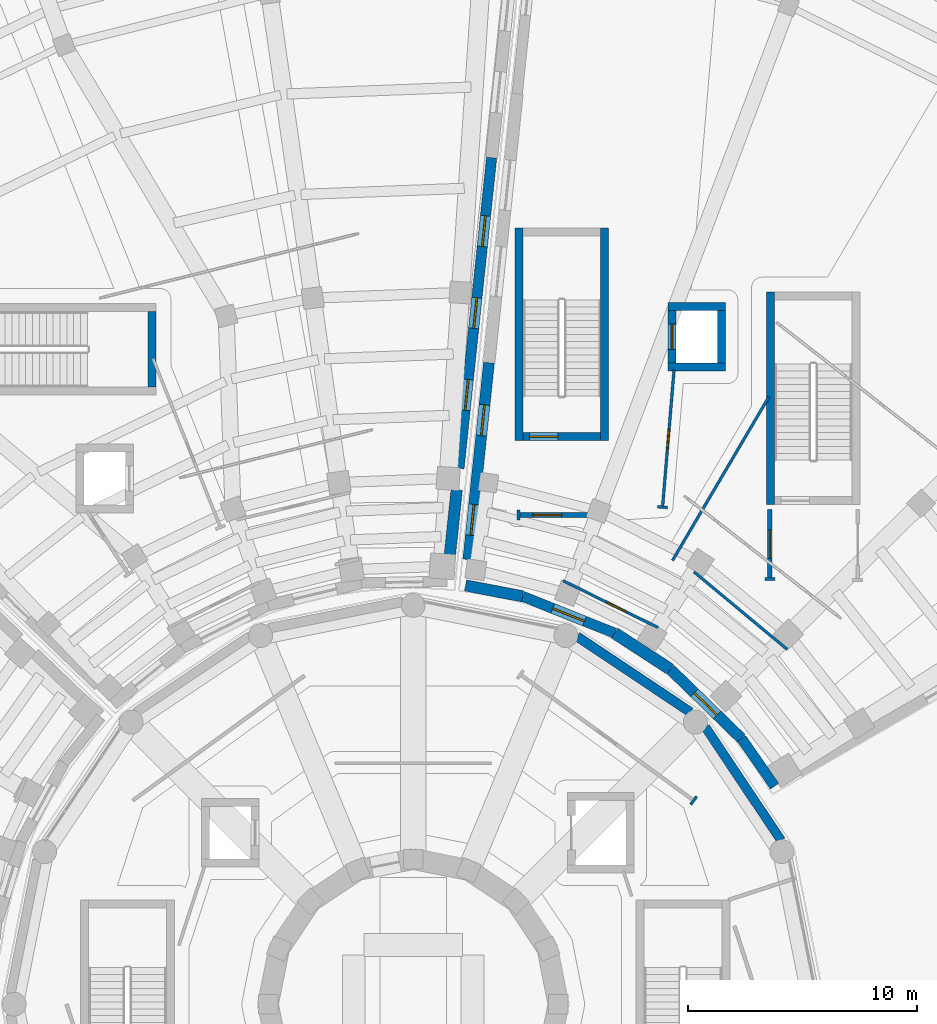
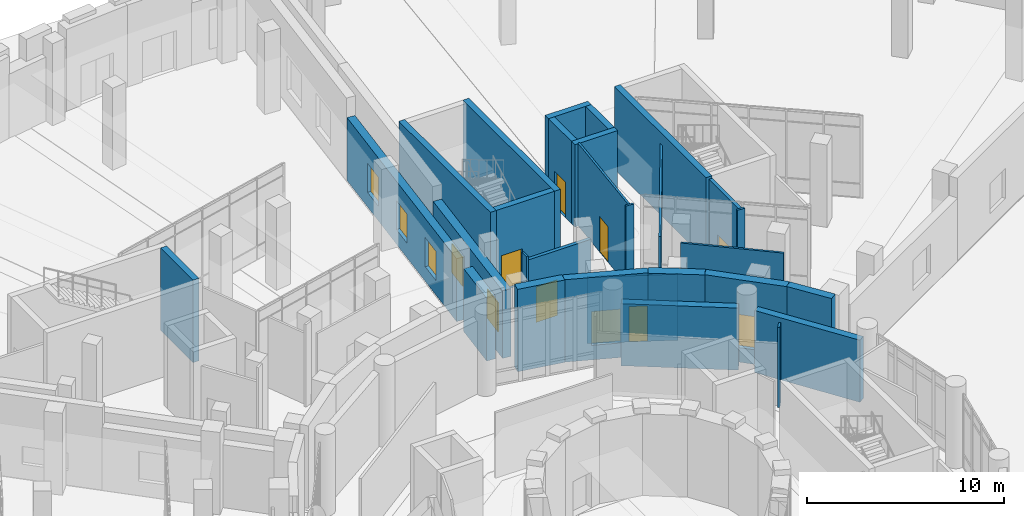
# One storey, part 50 of 74: 29 walls, 7 windows, 6 doors, 13 openings.
"""IFC4 building model written with IfcOpenShell, lengths in metres."""

import ifcopenshell
import ifcopenshell.guid

model = None  # the IFC model being written
_history = None  # IfcOwnerHistory: only IFC2X3 demands one
_inside = {}  # id of a spatial element -> (the spatial element, [elements in it])
_under = {}  # id of a project, library or spatial element -> (it, [spatial elements below it])
_declared = {}  # id of a project -> (the project, [libraries it declares])
_typed = {}  # id of a type object -> (the type object, [elements of that type])
_made_of = {}  # id of a material, layer set ... -> (it, [elements and type objects made of it])


def new_model(schema):
    """Start an empty IFC model of exactly this schema.

    Asked for "IFC4X3", IfcOpenShell would pick the latest addendum, in which some entities
    have other attributes; the version numbers below select the first issue.
    IFC2X3 requires an IfcOwnerHistory on every rooted entity: one is made here for all.
    """
    global model, _history
    if schema == "IFC4X3":
        model = ifcopenshell.file(schema_version=(4, 3, 0, 0))
    else:
        model = ifcopenshell.file(schema=schema)
    _inside.clear()
    _under.clear()
    _declared.clear()
    _typed.clear()
    _made_of.clear()
    _history = None
    if model.schema == "IFC2X3":
        org = make("IfcOrganization", Name="unknown")
        user = make(
            "IfcPersonAndOrganization",
            ThePerson=make("IfcPerson", FamilyName="unknown"),
            TheOrganization=org,
        )
        app = make(
            "IfcApplication",
            ApplicationDeveloper=org,
            Version="unknown",
            ApplicationFullName="unknown",
            ApplicationIdentifier="unknown",
        )
        _history = make(
            "IfcOwnerHistory",
            OwningUser=user,
            OwningApplication=app,
            ChangeAction="ADDED",
            CreationDate=0,
        )
    return model


def make(cls, **values):
    """One entity of the class cls with the attributes given. An attribute that is None is left unset."""
    return model.create_entity(
        cls, **{name: value for name, value in values.items() if value is not None}
    )


def rooted(cls, **values):
    """An entity with a GlobalId (a new one), such as an element, a storey or a relation."""
    return make(cls, GlobalId=ifcopenshell.guid.new(), OwnerHistory=_history, **values)


def si_unit(unit_type, name, prefix=None):
    """IfcSIUnit, for example si_unit("LENGTHUNIT", "METRE", prefix="MILLI")."""
    return make("IfcSIUnit", UnitType=unit_type, Prefix=prefix, Name=name)


def assignment(units):
    """IfcUnitAssignment: the units of a project."""
    return None if units is None else make("IfcUnitAssignment", Units=units)


def point(xyz):
    """IfcCartesianPoint."""
    return None if xyz is None else make("IfcCartesianPoint", Coordinates=xyz)


def direction(xyz):
    """IfcDirection."""
    return None if xyz is None else make("IfcDirection", DirectionRatios=xyz)


def frame(location, z_axis=None, x_axis=None):
    """IfcAxis2Placement3D, a coordinate frame: its origin and axes. An axis left out is left unset."""
    return make(
        "IfcAxis2Placement3D",
        Location=point(location),
        Axis=direction(z_axis),
        RefDirection=direction(x_axis),
    )


def frame_2d(location, x_axis=None):
    """IfcAxis2Placement2D, a coordinate frame in the plane: its origin and x axis."""
    return make(
        "IfcAxis2Placement2D", Location=point(location), RefDirection=direction(x_axis)
    )


def origin():
    """The frame at (0, 0, 0) with its axes left unset."""
    return frame((0.0, 0.0, 0.0))


def place(relative_to, where):
    """IfcLocalPlacement: puts the frame where relative to a parent placement (None: the world)."""
    return make(
        "IfcLocalPlacement", PlacementRelTo=relative_to, RelativePlacement=where
    )


def context(
    kind, dimensions, precision=None, world=None, true_north=None, identifier=None
):
    """IfcGeometricRepresentationContext, for example the 3D "Model" context."""
    return make(
        "IfcGeometricRepresentationContext",
        ContextIdentifier=identifier,
        ContextType=kind,
        CoordinateSpaceDimension=dimensions,
        Precision=precision,
        WorldCoordinateSystem=world,
        TrueNorth=true_north,
    )


def subcontext(parent, identifier, kind, view, scale=None):
    """IfcGeometricRepresentationSubContext, for example "Body" below "Model"."""
    return make(
        "IfcGeometricRepresentationSubContext",
        ContextIdentifier=identifier,
        ContextType=kind,
        ParentContext=parent,
        TargetScale=scale,
        TargetView=view,
    )


def project(units=None, contexts=None):
    """IfcProject with its units and contexts."""
    return rooted(
        "IfcProject",
        Name="project",
        RepresentationContexts=contexts,
        UnitsInContext=assignment(units),
    )


def spatial(cls, under=None, at=None, **own):
    """A site, building, storey or space (cls), placed at a placement, below another one or the project."""
    s = rooted(cls, ObjectPlacement=at, **own)
    if under is not None:
        _under.setdefault(under.id(), (under, []))[1].append(s)
    return s


def profile(cls, at=None, kind="AREA", **sizes):
    """A parametric profile (cls). Its sizes go by their IFC names, for example OverallWidth=200.0."""
    return make(cls, ProfileType=kind, Position=at, **sizes)


def rectangle(**sizes):
    """IfcRectangleProfileDef."""
    return profile("IfcRectangleProfileDef", **sizes)


def extrude(swept, where, along, depth):
    """IfcExtrudedAreaSolid: the profile swept, set in the frame where, extruded along a direction by depth."""
    return make(
        "IfcExtrudedAreaSolid",
        SweptArea=swept,
        Position=where,
        ExtrudedDirection=direction(along),
        Depth=depth,
    )


def shape(context_of_items, identifier, shape_type, items):
    """IfcShapeRepresentation: the items that make up one representation, for example the "Body"."""
    return make(
        "IfcShapeRepresentation",
        ContextOfItems=context_of_items,
        RepresentationIdentifier=identifier,
        RepresentationType=shape_type,
        Items=items,
    )


def material(Name=None, Category=None):
    """IfcMaterial."""
    return make("IfcMaterial", Name=Name, Category=Category)


def layer(
    of_material, thickness, ventilated=None, Name=None, Category=None, Priority=None
):
    """IfcMaterialLayer: one layer of a wall or slab, of a material (None: an air gap)."""
    return make(
        "IfcMaterialLayer",
        Material=of_material,
        LayerThickness=thickness,
        IsVentilated=ventilated,
        Name=Name,
        Category=Category,
        Priority=Priority,
    )


def layer_set(layers, Name=None):
    """IfcMaterialLayerSet."""
    return make("IfcMaterialLayerSet", MaterialLayers=layers, LayerSetName=Name)


def made_of(thing, what):
    """Note that an element or type object is made of a material, layer set ...; save() writes the relation."""
    if what is not None:
        _made_of.setdefault(what.id(), (what, []))[1].append(thing)
    return thing


def type_object(cls, material=None, **own):
    """A type object (cls), such as IfcWallType, which elements share."""
    return made_of(rooted(cls, **own), material)


def element(
    cls,
    number,
    at=None,
    inside=None,
    cuts=None,
    type_object=None,
    material=None,
    context=None,
    identifier="Body",
    shape_type=None,
    held_by="IfcProductDefinitionShape",
    body=None,
    shapes=None,
    **own,
):
    """One element of the class cls, such as IfcWall. Its Tag is "e" and its number.

    at: its placement. inside: the storey or other place that contains it. cuts: it is an
    opening in that element (IfcRelVoidsElement). A single representation is given by context,
    identifier, shape_type and body (its items); several are given by shapes. held_by: the class
    of the entity that holds the representations. save() writes the other relations.
    """
    e = rooted(cls, Tag="e%d" % number, ObjectPlacement=at, **own)
    if body is not None:
        shapes = [shape(context, identifier, shape_type, body)]
    if shapes is not None:
        e.Representation = make(held_by, Representations=shapes)
    if inside is not None:
        _inside.setdefault(inside.id(), (inside, []))[1].append(e)
    if cuts is not None:
        rooted(
            "IfcRelVoidsElement", RelatingBuildingElement=cuts, RelatedOpeningElement=e
        )
    if type_object is not None:
        _typed.setdefault(type_object.id(), (type_object, []))[1].append(e)
    return made_of(e, material)


def fill(opening, filler):
    """IfcRelFillsElement: the door or window that sits in an opening."""
    return rooted(
        "IfcRelFillsElement",
        RelatingOpeningElement=opening,
        RelatedBuildingElement=filler,
    )


def aggregate(whole, parts):
    """IfcRelAggregates: a whole, such as a stair, and the parts it consists of."""
    return rooted("IfcRelAggregates", RelatingObject=whole, RelatedObjects=parts)


def save(model, path):
    """Write the relations noted so far, then the file.

    IfcRelAggregates (storeys below a building ...), IfcRelContainedInSpatialStructure (elements
    in a storey), IfcRelDefinesByType, IfcRelAssociatesMaterial and IfcRelDeclares: one each for
    every whole, place, type object, material and project.
    """
    for whole, parts in _under.values():
        aggregate(whole, parts)
    for where, things in _inside.values():
        rooted(
            "IfcRelContainedInSpatialStructure",
            RelatedElements=things,
            RelatingStructure=where,
        )
    for kind, things in _typed.values():
        rooted("IfcRelDefinesByType", RelatedObjects=things, RelatingType=kind)
    for what, things in _made_of.values():
        rooted("IfcRelAssociatesMaterial", RelatedObjects=things, RelatingMaterial=what)
    for by, libraries in _declared.values():
        rooted("IfcRelDeclares", RelatingContext=by, RelatedDefinitions=libraries)
    model.write(path)


model = new_model("IFC4")

# Units and contexts
model_context = context("Model", 3, precision=1e-05, world=origin(), true_north=direction((0.0, 1.0)))
body_context = subcontext(model_context, "Body", "Model", "MODEL_VIEW")
ifc_project = project(units=[si_unit("LENGTHUNIT", "METRE"), si_unit("AREAUNIT", "SQUARE_METRE"), si_unit("VOLUMEUNIT", "CUBIC_METRE"), si_unit("PLANEANGLEUNIT", "RADIAN"), si_unit("MASSUNIT", "GRAM", prefix="KILO")], contexts=[model_context])

# Site, building, storey
site_placement = place(None, origin())
site = spatial("IfcSite", under=ifc_project, at=site_placement, CompositionType="ELEMENT")
building_placement = place(site_placement, origin())
building = spatial("IfcBuilding", under=site, at=building_placement, Name="Soyqirgoq Riverine Aquarium", CompositionType="ELEMENT")
storey_placement = place(building_placement, origin())
storey = spatial("IfcBuildingStorey", under=building, at=storey_placement, Name="L01", CompositionType="ELEMENT", Elevation=0.0)

# Walls
ifc_material_1 = material(Name="Concrete C40/50", Category="concrete")
ifc_layer_1 = layer(ifc_material_1, 0.35009765625)
ifc_layer_set_1 = layer_set([ifc_layer_1], Name="Concrete C40/50")
wall_type_1 = type_object("IfcWallType", Name="CoreShearWall_350_C40", PredefinedType="SHEAR", material=ifc_layer_set_1)
wall_1_placement = place(storey_placement, frame((44.574951171875, 84.0, 0.0), z_axis=(0.0, 0.0, 1.0), x_axis=(0.0, 1.0, 0.0)))
element("IfcWall", 1, at=wall_1_placement, inside=storey, type_object=wall_type_1, Name="CORE-4 L01 Stair Core Shear Wall BACK", PredefinedType="SHEAR", context=body_context, shape_type="SweptSolid", body=[
    extrude(rectangle(XDim=3.300048828125, YDim=0.35009765625, at=frame_2d((1.64990234375, 0.0))), origin(), (0.0, 0.0, 1.0), 5.10009765625),
])
for number, where, z_axis, x_axis, name in (
    (2, (64.375, 81.64990234375, 0.0), (0.0, 0.0, 1.0), (0.0, 1.0, 0.0), "CORE-5A L01 Stair Core Shear Wall SIDE1"),
    (3, (60.625, 90.949951171875, 0.0), (0.0, 0.0, 1.0), (0.0, -1.0, 0.0), "CORE-5A L01 Stair Core Shear Wall SIDE2"),
):
    element("IfcWall", number, at=place(storey_placement, frame(where, z_axis=z_axis, x_axis=x_axis)), inside=storey, type_object=wall_type_1, Name=name, PredefinedType="SHEAR", context=body_context, shape_type="SweptSolid", body=[
        extrude(rectangle(XDim=9.300048828125, YDim=0.35009765625, at=frame_2d((4.64990234375, 0.0))), origin(), (0.0, 0.0, 1.0), 5.10009765625),
    ])

# Wall, opening, door
wall_2_placement = place(storey_placement, frame((60.800048828125, 81.824951171875, 0.0), z_axis=(0.0, 0.0, 1.0), x_axis=(1.0, 0.0, 0.0)))
wall_2 = element("IfcWall", 4, at=wall_2_placement, inside=storey, type_object=wall_type_1, Name="CORE-5A L01 Stair Core Shear Wall FRONT", PredefinedType="SHEAR", context=body_context, shape_type="SweptSolid", body=[
    extrude(rectangle(XDim=3.39990234375, YDim=0.35009765625, at=frame_2d((1.699951171875, 0.0))), origin(), (0.0, 0.0, 1.0), 5.10009765625),
])
opening_1_placement = place(wall_2_placement, frame((0.280029296875, 0.0, 0.0)))
opening_1 = element("IfcOpeningElement", 5, at=opening_1_placement, cuts=wall_2, Name="Opening FD-01", PredefinedType="OPENING", context=body_context, shape_type="SweptSolid", body=[
    extrude(rectangle(XDim=1.25, YDim=2.199951171875, at=frame_2d((0.625, 1.10009765625))), frame((0.0, 0.18505859375, 0.0), z_axis=(0.0, -1.0, 0.0), x_axis=(1.0, 0.0, 0.0)), (0.0, 0.0, 1.0), 0.3701171875),
])
ifc_material_2 = material(Name="Galvanised steel fire-resisting stair door", Category="steel")
door_type_1 = type_object("IfcDoorType", Name="StairFireDoor_1250x2200_EI90", OperationType="NOTDEFINED", PredefinedType="DOOR", material=ifc_material_2)
door_1_placement = place(opening_1_placement, origin())
door_1 = element("IfcDoor", 6, at=door_1_placement, inside=storey, type_object=door_type_1, Name="DR-ST-5-L01 ST-5 L01 Fire-Rated Stairwell Door", OperationType="SINGLE_SWING_RIGHT", OverallHeight=2.199951171875, OverallWidth=1.25, PredefinedType="DOOR", context=body_context, shape_type="SweptSolid", body=[
    extrude(rectangle(XDim=1.25, YDim=2.199951171875, at=frame_2d((0.625, 1.10009765625))), frame((0.0, 0.02490234375, 0.0), z_axis=(0.0, -1.0, 0.0), x_axis=(1.0, 0.0, 0.0)), (0.0, 0.0, 1.0), 0.050048828125),
])
fill(opening_1, door_1)

# Walls
wall_3_placement = place(storey_placement, frame((67.14501953125, 84.8701171875, 0.0), z_axis=(0.0, 0.0, 1.0), x_axis=(1.0, 0.0, 0.0)))
element("IfcWall", 7, at=wall_3_placement, inside=storey, type_object=wall_type_1, Name="Lift PL-5 Shaft Wall L01 1", PredefinedType="SHEAR", context=body_context, shape_type="SweptSolid", body=[
    extrude(rectangle(XDim=2.510009765625, YDim=0.35009765625, at=frame_2d((1.2548828125, 0.0))), origin(), (0.0, 0.0, 1.0), 5.10009765625),
])
wall_4_placement = place(storey_placement, frame((69.47998046875, 85.044921875, 0.0), z_axis=(0.0, 0.0, 1.0), x_axis=(0.0, 1.0, 0.0)))
element("IfcWall", 8, at=wall_4_placement, inside=storey, type_object=wall_type_1, Name="Lift PL-5 Shaft Wall L01 2", PredefinedType="SHEAR", context=body_context, shape_type="SweptSolid", body=[
    extrude(rectangle(XDim=2.31005859375, YDim=0.35009765625, at=frame_2d((1.155029296875, 0.0))), origin(), (0.0, 0.0, 1.0), 5.10009765625),
])
wall_5_placement = place(storey_placement, frame((69.655029296875, 87.530029296875, 0.0), z_axis=(0.0, 0.0, 1.0), x_axis=(-1.0, 0.0, 0.0)))
element("IfcWall", 9, at=wall_5_placement, inside=storey, type_object=wall_type_1, Name="Lift PL-5 Shaft Wall L01 3", PredefinedType="SHEAR", context=body_context, shape_type="SweptSolid", body=[
    extrude(rectangle(XDim=2.510009765625, YDim=0.35009765625, at=frame_2d((1.2548828125, 0.0))), origin(), (0.0, 0.0, 1.0), 5.10009765625),
])

# Wall, opening, door
wall_6_placement = place(storey_placement, frame((67.320068359375, 87.35498046875, 0.0), z_axis=(0.0, 0.0, 1.0), x_axis=(0.0, -1.0, 0.0)))
wall_6 = element("IfcWall", 10, at=wall_6_placement, inside=storey, type_object=wall_type_1, Name="Lift PL-5 Shaft Wall L01 4", PredefinedType="SHEAR", context=body_context, shape_type="SweptSolid", body=[
    extrude(rectangle(XDim=2.31005859375, YDim=0.35009765625, at=frame_2d((1.155029296875, 0.0))), origin(), (0.0, 0.0, 1.0), 5.10009765625),
])
opening_2_placement = place(wall_6_placement, frame((0.60498046875, 0.0, 0.0)))
opening_2 = element("IfcOpeningElement", 11, at=opening_2_placement, cuts=wall_6, Name="Opening LD-01", PredefinedType="OPENING", context=body_context, shape_type="SweptSolid", body=[
    extrude(rectangle(XDim=1.10009765625, YDim=2.199951171875, at=frame_2d((0.550048828125, 1.10009765625))), frame((0.0, 0.18505859375, 0.0), z_axis=(0.0, -1.0, 0.0), x_axis=(1.0, 0.0, 0.0)), (0.0, 0.0, 1.0), 0.3701171875),
])
ifc_material_3 = material(Name="Brushed stainless steel telescopic lift landing door", Category="steel")
door_type_2 = type_object("IfcDoorType", Name="LiftLandingDoor_1100x2200", OperationType="SLIDING_TO_LEFT", PredefinedType="DOOR", material=ifc_material_3)
door_2_placement = place(opening_2_placement, origin())
door_2 = element("IfcDoor", 12, at=door_2_placement, inside=storey, type_object=door_type_2, Name="LD-PL-5-L01 Lift PL-5 L01 Sliding Landing Door", OperationType="SLIDING_TO_LEFT", OverallHeight=2.199951171875, OverallWidth=1.10009765625, PredefinedType="DOOR", context=body_context, shape_type="SweptSolid", body=[
    extrude(rectangle(XDim=1.10009765625, YDim=2.199951171875, at=frame_2d((0.550048828125, 1.10009765625))), frame((0.0, 0.02490234375, 0.0), z_axis=(0.0, -1.0, 0.0), x_axis=(1.0, 0.0, 0.0)), (0.0, 0.0, 1.0), 0.050048828125),
])
fill(opening_2, door_2)

# Walls
wall_7_placement = place(storey_placement, frame((71.625, 88.14990234375, 0.0), z_axis=(0.0, 0.0, 1.0), x_axis=(0.0, -1.0, 0.0)))
element("IfcWall", 13, at=wall_7_placement, inside=storey, type_object=wall_type_1, Name="CORE-5B L01 Stair Core Shear Wall SIDE2", PredefinedType="SHEAR", context=body_context, shape_type="SweptSolid", body=[
    extrude(rectangle(XDim=9.2998046875, YDim=0.35009765625, at=frame_2d((4.64990234375, 0.0))), origin(), (0.0, 0.0, 1.0), 5.10009765625),
])
ifc_material_4 = material(Name="Lightweight steel-stud gypsum partition", Category="steel")
ifc_layer_2 = layer(ifc_material_4, 0.1201171875)
ifc_layer_set_2 = layer_set([ifc_layer_2], Name="Lightweight steel-stud gypsum partition")
wall_type_2 = type_object("IfcWallType", Name="PartitionWall_120_Std", PredefinedType="PARTITIONING", material=ifc_layer_set_2)
wall_8_placement = place(storey_placement, frame((68.137939453125, 65.734619140625, 0.0), z_axis=(0.0, 0.0, 1.0), x_axis=(0.587412867849, 0.809287416611, 0.0)))
element("IfcWall", 14, at=wall_8_placement, inside=storey, type_object=wall_type_2, Name="V1 L01 Jamb Return Pier", PredefinedType="PARTITIONING", context=body_context, shape_type="SweptSolid", body=[
    extrude(rectangle(XDim=0.440185546875, YDim=0.1201171875, at=frame_2d((0.22021484375, 0.0))), origin(), (0.0, 0.0, 1.0), 4.949951171875),
])

# Wall, opening, door
wall_9_placement = place(storey_placement, frame((62.559326171875, 75.52294921875, 0.0), z_axis=(0.0, 0.0, 1.0), x_axis=(0.896876614616, -0.442280836296, 0.0)))
wall_9 = element("IfcWall", 15, at=wall_9_placement, inside=storey, type_object=wall_type_2, Name="V5 Gallery Circulation Corridor Partition Wall", PredefinedType="PARTITIONING", context=body_context, shape_type="SweptSolid", body=[
    extrude(rectangle(XDim=4.619140625, YDim=0.1201171875, at=frame_2d((2.3095703125, 0.0))), origin(), (0.0, 0.0, 1.0), 4.090087890625),
])
opening_3_placement = place(wall_9_placement, frame((2.128173828125, 0.0, 0.0)))
opening_3 = element("IfcOpeningElement", 16, at=opening_3_placement, cuts=wall_9, Name="Opening ID-06", PredefinedType="OPENING", context=body_context, shape_type="SweptSolid", body=[
    extrude(rectangle(XDim=0.949951171875, YDim=2.199951171875, at=frame_2d((0.47509765625, 1.10009765625))), frame((0.0, 0.070068359375, 0.0), z_axis=(0.0, -1.0, 0.0), x_axis=(1.0, 0.0, 0.0)), (0.0, 0.0, 1.0), 0.14013671875),
])
ifc_material_5 = material(Name="Moisture-resistant HPL washroom door", Category="wood")
door_type_3 = type_object("IfcDoorType", Name="WCDoor_950x2200", OperationType="NOTDEFINED", PredefinedType="DOOR", material=ifc_material_5)
door_3_placement = place(opening_3_placement, origin())
door_3 = element("IfcDoor", 17, at=door_3_placement, inside=storey, type_object=door_type_3, Name="IDR-V5-L01-0142 Pelagic Gallery Door", OperationType="SINGLE_SWING_LEFT", OverallHeight=2.199951171875, OverallWidth=0.949951171875, PredefinedType="DOOR", context=body_context, shape_type="SweptSolid", body=[
    extrude(rectangle(XDim=0.949951171875, YDim=2.199951171875, at=frame_2d((0.47509765625, 1.10009765625))), frame((0.0, 0.02490234375, 0.0), z_axis=(0.0, -1.0, 0.0), x_axis=(1.0, 0.0, 0.0)), (0.0, 0.0, 1.0), 0.050048828125),
])
fill(opening_3, door_3)

# Wall
wall_10_placement = place(storey_placement, frame((72.357177734375, 72.5224609375, 0.0), z_axis=(0.0, 0.0, 1.0), x_axis=(-0.768847565949, 0.639432107682, 0.0)))
element("IfcWall", 18, at=wall_10_placement, inside=storey, type_object=wall_type_2, Name="V5 Gallery Circulation Corridor Partition Wall", PredefinedType="PARTITIONING", context=body_context, shape_type="SweptSolid", body=[
    extrude(rectangle(XDim=5.301025390625, YDim=0.1201171875, at=frame_2d((2.650390625, 0.0))), origin(), (0.0, 0.0, 1.0), 3.989990234375),
])

# Wall, opening, door
wall_11_placement = place(storey_placement, frame((67.409423828125, 84.75048828125, 0.0), z_axis=(0.0, 0.0, 1.0), x_axis=(-0.083591797082, -0.996500081014, 0.0)))
wall_11 = element("IfcWall", 19, at=wall_11_placement, inside=storey, type_object=wall_type_2, Name="Open Ocean Continental Shelf Hall Partition Wall", PredefinedType="PARTITIONING", context=body_context, shape_type="SweptSolid", body=[
    extrude(rectangle(XDim=6.028076171875, YDim=0.1201171875, at=frame_2d((3.01416015625, 0.0))), origin(), (0.0, 0.0, 1.0), 5.10009765625),
])
opening_4_placement = place(wall_11_placement, frame((2.589599609375, 0.0, 0.0)))
opening_4 = element("IfcOpeningElement", 20, at=opening_4_placement, cuts=wall_11, Name="Opening ID-03", PredefinedType="OPENING", context=body_context, shape_type="SweptSolid", body=[
    extrude(rectangle(XDim=1.0, YDim=2.199951171875, at=frame_2d((0.5, 1.10009765625))), frame((0.0, 0.070068359375, 0.0), z_axis=(0.0, -1.0, 0.0), x_axis=(1.0, 0.0, 0.0)), (0.0, 0.0, 1.0), 0.14013671875),
])
ifc_material_6 = material(Name="Solid-core ash veneer room door", Category="wood")
door_type_4 = type_object("IfcDoorType", Name="RoomDoor_1000x2200", OperationType="NOTDEFINED", PredefinedType="DOOR", material=ifc_material_6)
door_4_placement = place(opening_4_placement, origin())
door_4 = element("IfcDoor", 21, at=door_4_placement, inside=storey, type_object=door_type_4, Name="IDR-V5-L01-0143 Open Ocean Continental Shelf Hall Door", OperationType="SINGLE_SWING_RIGHT", OverallHeight=2.199951171875, OverallWidth=1.0, PredefinedType="DOOR", context=body_context, shape_type="SweptSolid", body=[
    extrude(rectangle(XDim=1.0, YDim=2.199951171875, at=frame_2d((0.5, 1.10009765625))), frame((0.0, 0.02490234375, 0.0), z_axis=(0.0, -1.0, 0.0), x_axis=(1.0, 0.0, 0.0)), (0.0, 0.0, 1.0), 0.050048828125),
])
fill(opening_4, door_4)

# Walls
wall_12_placement = place(storey_placement, frame((67.34033203125, 76.40966796875, 0.0), z_axis=(0.0, 0.0, 1.0), x_axis=(0.507554651223, 0.861619565714, 0.0)))
element("IfcWall", 22, at=wall_12_placement, inside=storey, type_object=wall_type_2, Name="Open Ocean Continental Shelf Hall Partition Wall", PredefinedType="PARTITIONING", context=body_context, shape_type="SweptSolid", body=[
    extrude(rectangle(XDim=8.322021484375, YDim=0.1201171875, at=frame_2d((4.1611328125, 0.0))), origin(), (0.0, 0.0, 1.0), 4.389892578125),
])
wall_13_placement = place(storey_placement, frame((60.60009765625, 78.179931640625, 0.0), z_axis=(0.0, 0.0, 1.0), x_axis=(0.0, 1.0, 0.0)))
element("IfcWall", 23, at=wall_13_placement, inside=storey, type_object=wall_type_2, Name="V5 L01 Jamb Return Pier", PredefinedType="PARTITIONING", context=body_context, shape_type="SweptSolid", body=[
    extrude(rectangle(XDim=0.440185546875, YDim=0.1201171875, at=frame_2d((0.22021484375, 0.0))), origin(), (0.0, 0.0, 1.0), 4.43994140625),
])
wall_14_placement = place(storey_placement, frame((71.3798828125, 75.60009765625, 0.0), z_axis=(0.0, 0.0, 1.0), x_axis=(1.0, 0.0, 0.0)))
element("IfcWall", 24, at=wall_14_placement, inside=storey, type_object=wall_type_2, Name="V5 L01 Jamb Return Pier", PredefinedType="PARTITIONING", context=body_context, shape_type="SweptSolid", body=[
    extrude(rectangle(XDim=0.440185546875, YDim=0.1201171875, at=frame_2d((0.22021484375, 0.0))), origin(), (0.0, 0.0, 1.0), 5.10009765625),
])
wall_15_placement = place(storey_placement, frame((66.686279296875, 78.76171875, 0.0), z_axis=(0.0, 0.0, 1.0), x_axis=(0.996484264224, -0.083780135801, 0.0)))
element("IfcWall", 25, at=wall_15_placement, inside=storey, type_object=wall_type_2, Name="V5 L01 Jamb Return Pier", PredefinedType="PARTITIONING", context=body_context, shape_type="SweptSolid", body=[
    extrude(rectangle(XDim=0.43994140625, YDim=0.1201171875, at=frame_2d((0.219970703125, 0.0))), origin(), (0.0, 0.0, 1.0), 5.10009765625),
])

# Wall, opening, door
ifc_material_7 = material(Name="Fire-rated calcium silicate twin-stud partition", Category="gypsum")
ifc_layer_3 = layer(ifc_material_7, 0.199951171875)
ifc_layer_set_3 = layer_set([ifc_layer_3], Name="Fire-rated calcium silicate twin-stud partition")
wall_type_3 = type_object("IfcWallType", Name="PartitionWall_200_EI90", PredefinedType="PARTITIONING", material=ifc_layer_set_3)
wall_16_placement = place(storey_placement, frame((60.60009765625, 78.39990234375, 0.0), z_axis=(0.0, 0.0, 1.0), x_axis=(1.0, 0.0, 0.0)))
wall_16 = element("IfcWall", 26, at=wall_16_placement, inside=storey, type_object=wall_type_3, Name="Lift and Stair Lobby ST-5 and Protected Exit Passageway Fire Enclosure Wall", PredefinedType="PARTITIONING", context=body_context, shape_type="SweptSolid", body=[
    extrude(rectangle(XDim=3.7998046875, YDim=0.199951171875, at=frame_2d((1.89990234375, 0.0))), origin(), (0.0, 0.0, 1.0), 4.090087890625),
])
opening_5_placement = place(wall_16_placement, frame((0.637451171875, 0.0, 0.0)))
opening_5 = element("IfcOpeningElement", 27, at=opening_5_placement, cuts=wall_16, Name="Opening FD-01", PredefinedType="OPENING", context=body_context, shape_type="SweptSolid", body=[
    extrude(rectangle(XDim=1.25, YDim=2.199951171875, at=frame_2d((0.625, 1.10009765625))), frame((0.0, 0.10986328125, 0.0), z_axis=(0.0, -1.0, 0.0), x_axis=(1.0, 0.0, 0.0)), (0.0, 0.0, 1.0), 0.219970703125),
])
door_5_placement = place(opening_5_placement, origin())
door_5 = element("IfcDoor", 28, at=door_5_placement, inside=storey, type_object=door_type_1, Name="IDR-V5-L01-0140 Lift and Stair Lobby ST-5 and Protected Exit Passageway Egress Fire Door", OperationType="SINGLE_SWING_LEFT", OverallHeight=2.199951171875, OverallWidth=1.25, PredefinedType="DOOR", context=body_context, shape_type="SweptSolid", body=[
    extrude(rectangle(XDim=1.25, YDim=2.199951171875, at=frame_2d((0.625, 1.10009765625))), frame((0.0, 0.02490234375, 0.0), z_axis=(0.0, -1.0, 0.0), x_axis=(1.0, 0.0, 0.0)), (0.0, 0.0, 1.0), 0.050048828125),
])
fill(opening_5, door_5)

wall_17_placement = place(storey_placement, frame((71.60009765625, 78.64990234375, 0.0), z_axis=(0.0, 0.0, 1.0), x_axis=(0.0, -1.0, 0.0)))
wall_17 = element("IfcWall", 29, at=wall_17_placement, inside=storey, type_object=wall_type_3, Name="Lift and Stair Lobby ST-6 Fire Enclosure Wall", PredefinedType="PARTITIONING", context=body_context, shape_type="SweptSolid", body=[
    extrude(rectangle(XDim=3.0498046875, YDim=0.199951171875, at=frame_2d((1.52490234375, 0.0))), origin(), (0.0, 0.0, 1.0), 5.10009765625),
])
opening_6_placement = place(wall_17_placement, frame((0.89990234375, 0.0, 0.0)))
opening_6 = element("IfcOpeningElement", 30, at=opening_6_placement, cuts=wall_17, Name="Opening FD-01", PredefinedType="OPENING", context=body_context, shape_type="SweptSolid", body=[
    extrude(rectangle(XDim=1.25, YDim=2.199951171875, at=frame_2d((0.625, 1.10009765625))), frame((0.0, 0.10986328125, 0.0), z_axis=(0.0, -1.0, 0.0), x_axis=(1.0, 0.0, 0.0)), (0.0, 0.0, 1.0), 0.219970703125),
])
door_6_placement = place(opening_6_placement, origin())
door_6 = element("IfcDoor", 31, at=door_6_placement, inside=storey, type_object=door_type_1, Name="IDR-V5-L01-0141 Lift and Stair Lobby ST-6 Egress Fire Door", OperationType="SINGLE_SWING_LEFT", OverallHeight=2.199951171875, OverallWidth=1.25, PredefinedType="DOOR", context=body_context, shape_type="SweptSolid", body=[
    extrude(rectangle(XDim=1.25, YDim=2.199951171875, at=frame_2d((0.625, 1.10009765625))), frame((0.0, 0.02490234375, 0.0), z_axis=(0.0, -1.0, 0.0), x_axis=(1.0, 0.0, 0.0)), (0.0, 0.0, 1.0), 0.050048828125),
])
fill(opening_6, door_6)

# Wall, openings, windows
ifc_material_8 = material(Name="Honed travertine limestone cavity wall", Category="masonry")
ifc_layer_4 = layer(ifc_material_8, 0.449951171875)
ifc_layer_set_4 = layer_set([ifc_layer_4], Name="Honed travertine limestone cavity wall")
wall_type_4 = type_object("IfcWallType", Name="TravertineCavityWall_450", PredefinedType="SOLIDWALL", material=ifc_layer_set_4)
wall_18_placement = place(storey_placement, frame((59.429443359375, 94.029296875, 0.0), z_axis=(0.0, 0.0, 1.0), x_axis=(-0.104533192637, -0.99452139828, 0.0)))
wall_18 = element("IfcWall", 32, at=wall_18_placement, inside=storey, type_object=wall_type_4, Name="V4 L01 Exterior Travertine Wall 0175", PredefinedType="SOLIDWALL", context=body_context, shape_type="SweptSolid", body=[
    extrude(rectangle(XDim=13.665283203125, YDim=0.449951171875, at=frame_2d((6.83251953125, 0.0))), origin(), (0.0, 0.0, 1.0), 3.889892578125),
])
opening_7_placement = place(wall_18_placement, frame((2.5576171875, 0.0, 0.89990234375)))
opening_7 = element("IfcOpeningElement", 33, at=opening_7_placement, cuts=wall_18, Name="Opening WN-08", PredefinedType="OPENING", context=body_context, shape_type="SweptSolid", body=[
    extrude(rectangle(XDim=1.35009765625, YDim=1.800048828125, at=frame_2d((0.675048828125, 0.89990234375))), frame((0.0, 0.23486328125, 0.0), z_axis=(0.0, -1.0, 0.0), x_axis=(1.0, 0.0, 0.0)), (0.0, 0.0, 1.0), 0.469970703125),
])
opening_8_placement = place(wall_18_placement, frame((6.15771484375, 0.0, 0.89990234375)))
opening_8 = element("IfcOpeningElement", 34, at=opening_8_placement, cuts=wall_18, Name="Opening WN-08", PredefinedType="OPENING", context=body_context, shape_type="SweptSolid", body=[
    extrude(rectangle(XDim=1.35009765625, YDim=1.800048828125, at=frame_2d((0.675048828125, 0.89990234375))), frame((0.0, 0.23486328125, 0.0), z_axis=(0.0, -1.0, 0.0), x_axis=(1.0, 0.0, 0.0)), (0.0, 0.0, 1.0), 0.469970703125),
])
opening_9_placement = place(wall_18_placement, frame((9.757568359375, 0.0, 0.89990234375)))
opening_9 = element("IfcOpeningElement", 35, at=opening_9_placement, cuts=wall_18, Name="Opening WN-08", PredefinedType="OPENING", context=body_context, shape_type="SweptSolid", body=[
    extrude(rectangle(XDim=1.35009765625, YDim=1.800048828125, at=frame_2d((0.675048828125, 0.89990234375))), frame((0.0, 0.23486328125, 0.0), z_axis=(0.0, -1.0, 0.0), x_axis=(1.0, 0.0, 0.0)), (0.0, 0.0, 1.0), 0.469970703125),
])
ifc_material_9 = material(Name="Thermally broken aluminium triple low-E window", Category="aluminium")
window_type_1 = type_object("IfcWindowType", Name="Win_Office_1350x1800", PartitioningType="DOUBLE_PANEL_VERTICAL", PredefinedType="WINDOW", material=ifc_material_9)
window_1_placement = place(opening_7_placement, origin())
window_1 = element("IfcWindow", 36, at=window_1_placement, inside=storey, type_object=window_type_1, Name="V4 L01 Facade Window 0113", OverallHeight=1.800048828125, OverallWidth=1.35009765625, PartitioningType="DOUBLE_PANEL_VERTICAL", PredefinedType="WINDOW", context=body_context, shape_type="SweptSolid", body=[
    extrude(rectangle(XDim=1.35009765625, YDim=1.800048828125, at=frame_2d((0.675048828125, 0.89990234375))), frame((0.0, 0.030029296875, 0.0), z_axis=(0.0, -1.0, 0.0), x_axis=(1.0, 0.0, 0.0)), (0.0, 0.0, 1.0), 0.06005859375),
])
fill(opening_7, window_1)
window_2_placement = place(opening_8_placement, origin())
window_2 = element("IfcWindow", 37, at=window_2_placement, inside=storey, type_object=window_type_1, Name="V4 L01 Facade Window 0114", OverallHeight=1.800048828125, OverallWidth=1.35009765625, PartitioningType="DOUBLE_PANEL_VERTICAL", PredefinedType="WINDOW", context=body_context, shape_type="SweptSolid", body=[
    extrude(rectangle(XDim=1.35009765625, YDim=1.800048828125, at=frame_2d((0.675048828125, 0.89990234375))), frame((0.0, 0.030029296875, 0.0), z_axis=(0.0, -1.0, 0.0), x_axis=(1.0, 0.0, 0.0)), (0.0, 0.0, 1.0), 0.06005859375),
])
fill(opening_8, window_2)
window_3_placement = place(opening_9_placement, origin())
window_3 = element("IfcWindow", 38, at=window_3_placement, inside=storey, type_object=window_type_1, Name="V4 L01 Facade Window 0115", OverallHeight=1.800048828125, OverallWidth=1.35009765625, PartitioningType="DOUBLE_PANEL_VERTICAL", PredefinedType="WINDOW", context=body_context, shape_type="SweptSolid", body=[
    extrude(rectangle(XDim=1.35009765625, YDim=1.800048828125, at=frame_2d((0.675048828125, 0.89990234375))), frame((0.0, 0.030029296875, 0.0), z_axis=(0.0, -1.0, 0.0), x_axis=(1.0, 0.0, 0.0)), (0.0, 0.0, 1.0), 0.06005859375),
])
fill(opening_9, window_3)

# Wall, opening, window
wall_19_placement = place(storey_placement, frame((64.813232421875, 73.23193359375, 0.0), z_axis=(0.0, 0.0, 1.0), x_axis=(-0.928809819566, 0.370556769036, 0.0)))
wall_19 = element("IfcWall", 39, at=wall_19_placement, inside=storey, type_object=wall_type_4, Name="V5 L01 Exterior Travertine Wall 0239", PredefinedType="SOLIDWALL", context=body_context, shape_type="SweptSolid", body=[
    extrude(rectangle(XDim=4.341796875, YDim=0.449951171875, at=frame_2d((2.1708984375, 0.0))), origin(), (0.0, 0.0, 1.0), 5.10009765625),
])
opening_10_placement = place(wall_19_placement, frame((1.4208984375, 0.0, 0.89990234375)))
opening_10 = element("IfcOpeningElement", 40, at=opening_10_placement, cuts=wall_19, Name="Opening WN-04", PredefinedType="OPENING", context=body_context, shape_type="SweptSolid", body=[
    extrude(rectangle(XDim=1.5, YDim=2.10009765625, at=frame_2d((0.75, 1.050048828125))), frame((0.0, 0.23486328125, 0.0), z_axis=(0.0, -1.0, 0.0), x_axis=(1.0, 0.0, 0.0)), (0.0, 0.0, 1.0), 0.469970703125),
])
ifc_material_10 = material(Name="Thermally broken aluminium triple low-E window", Category="aluminium")
window_type_2 = type_object("IfcWindowType", Name="Win_Gallery_1500x2100", PartitioningType="DOUBLE_PANEL_VERTICAL", PredefinedType="WINDOW", material=ifc_material_10)
window_4_placement = place(opening_10_placement, origin())
window_4 = element("IfcWindow", 41, at=window_4_placement, inside=storey, type_object=window_type_2, Name="V5 L01 Facade Window 0180", OverallHeight=2.10009765625, OverallWidth=1.5, PartitioningType="DOUBLE_PANEL_VERTICAL", PredefinedType="WINDOW", context=body_context, shape_type="SweptSolid", body=[
    extrude(rectangle(XDim=1.5, YDim=2.10009765625, at=frame_2d((0.75, 1.050048828125))), frame((0.0, 0.030029296875, 0.0), z_axis=(0.0, -1.0, 0.0), x_axis=(1.0, 0.0, 0.0)), (0.0, 0.0, 1.0), 0.06005859375),
])
fill(opening_10, window_4)

# Wall
wall_20_placement = place(storey_placement, frame((71.803466796875, 66.539794921875, 0.0), z_axis=(0.0, 0.0, 1.0), x_axis=(-0.570994039062, 0.820954205395, 0.0)))
element("IfcWall", 42, at=wall_20_placement, inside=storey, type_object=wall_type_4, Name="V5 L01 Exterior Travertine Wall 0259", PredefinedType="SOLIDWALL", context=body_context, shape_type="SweptSolid", body=[
    extrude(rectangle(XDim=2.53857421875, YDim=0.449951171875, at=frame_2d((1.269287109375, 0.0))), origin(), (0.0, 0.0, 1.0), 5.10009765625),
])

# Wall, opening, window
ifc_material_11 = material(Name="Honed travertine limestone cavity wall", Category="masonry")
ifc_layer_5 = layer(ifc_material_11, 0.47998046875)
ifc_layer_set_5 = layer_set([ifc_layer_5], Name="Honed travertine limestone cavity wall")
wall_type_5 = type_object("IfcWallType", Name="TravertineCavityWall_480", PredefinedType="SOLIDWALL", material=ifc_layer_set_5)
wall_21_placement = place(storey_placement, frame((70.35400390625, 68.623779296875, 0.0), z_axis=(0.0, 0.0, 1.0), x_axis=(-0.716323988625, 0.697767829095, 0.0)))
wall_21 = element("IfcWall", 43, at=wall_21_placement, inside=storey, type_object=wall_type_5, Name="V5 L01 Exterior Travertine Wall 0237", PredefinedType="SOLIDWALL", context=body_context, shape_type="SweptSolid", body=[
    extrude(rectangle(XDim=4.341796875, YDim=0.47998046875, at=frame_2d((2.1708984375, 0.0))), origin(), (0.0, 0.0, 1.0), 5.10009765625),
])
opening_11_placement = place(wall_21_placement, frame((1.470947265625, 0.0, 0.89990234375)))
opening_11 = element("IfcOpeningElement", 44, at=opening_11_placement, cuts=wall_21, Name="Opening WN-20", PredefinedType="OPENING", context=body_context, shape_type="SweptSolid", body=[
    extrude(rectangle(XDim=1.39990234375, YDim=2.050048828125, at=frame_2d((0.699951171875, 1.02490234375))), frame((0.0, 0.25, 0.0), z_axis=(0.0, -1.0, 0.0), x_axis=(1.0, 0.0, 0.0)), (0.0, 0.0, 1.0), 0.5),
])
ifc_material_12 = material(Name="Thermally broken aluminium triple low-E window", Category="aluminium")
window_type_3 = type_object("IfcWindowType", Name="Win_Gallery_1400x2050", PartitioningType="DOUBLE_PANEL_VERTICAL", PredefinedType="WINDOW", material=ifc_material_12)
window_5_placement = place(opening_11_placement, origin())
window_5 = element("IfcWindow", 45, at=window_5_placement, inside=storey, type_object=window_type_3, Name="V5 L01 Facade Window 0179", OverallHeight=2.050048828125, OverallWidth=1.39990234375, PartitioningType="DOUBLE_PANEL_VERTICAL", PredefinedType="WINDOW", context=body_context, shape_type="SweptSolid", body=[
    extrude(rectangle(XDim=1.39990234375, YDim=2.050048828125, at=frame_2d((0.699951171875, 1.02490234375))), frame((0.0, 0.030029296875, 0.0), z_axis=(0.0, -1.0, 0.0), x_axis=(1.0, 0.0, 0.0)), (0.0, 0.0, 1.0), 0.06005859375),
])
fill(opening_11, window_5)

# Wall, openings, windows
wall_22_placement = place(storey_placement, frame((58.406494140625, 76.45068359375, 0.0), z_axis=(0.0, 0.0, 1.0), x_axis=(0.104520355675, 0.994522747477, 0.0)))
wall_22 = element("IfcWall", 46, at=wall_22_placement, inside=storey, type_object=wall_type_5, Name="V5 L01 Exterior Travertine Wall 0241", PredefinedType="SOLIDWALL", context=body_context, shape_type="SweptSolid", body=[
    extrude(rectangle(XDim=8.656494140625, YDim=0.47998046875, at=frame_2d((4.328125, 0.0))), origin(), (0.0, 0.0, 1.0), 4.18994140625),
])
opening_12_placement = place(wall_22_placement, frame((1.0732421875, 0.0, 0.89990234375)))
opening_12 = element("IfcOpeningElement", 47, at=opening_12_placement, cuts=wall_22, Name="Opening WN-08", PredefinedType="OPENING", context=body_context, shape_type="SweptSolid", body=[
    extrude(rectangle(XDim=1.35009765625, YDim=1.800048828125, at=frame_2d((0.675048828125, 0.89990234375))), frame((0.0, 0.25, 0.0), z_axis=(0.0, -1.0, 0.0), x_axis=(1.0, 0.0, 0.0)), (0.0, 0.0, 1.0), 0.5),
])
opening_13_placement = place(wall_22_placement, frame((5.453369140625, 0.0, 0.89990234375)))
opening_13 = element("IfcOpeningElement", 48, at=opening_13_placement, cuts=wall_22, Name="Opening WN-08", PredefinedType="OPENING", context=body_context, shape_type="SweptSolid", body=[
    extrude(rectangle(XDim=1.35009765625, YDim=1.800048828125, at=frame_2d((0.675048828125, 0.89990234375))), frame((0.0, 0.25, 0.0), z_axis=(0.0, -1.0, 0.0), x_axis=(1.0, 0.0, 0.0)), (0.0, 0.0, 1.0), 0.5),
])
window_6_placement = place(opening_12_placement, origin())
window_6 = element("IfcWindow", 49, at=window_6_placement, inside=storey, type_object=window_type_1, Name="V5 L01 Facade Window 0181", OverallHeight=1.800048828125, OverallWidth=1.35009765625, PartitioningType="DOUBLE_PANEL_VERTICAL", PredefinedType="WINDOW", context=body_context, shape_type="SweptSolid", body=[
    extrude(rectangle(XDim=1.35009765625, YDim=1.800048828125, at=frame_2d((0.675048828125, 0.89990234375))), frame((0.0, 0.030029296875, 0.0), z_axis=(0.0, -1.0, 0.0), x_axis=(1.0, 0.0, 0.0)), (0.0, 0.0, 1.0), 0.06005859375),
])
fill(opening_12, window_6)
window_7_placement = place(opening_13_placement, origin())
window_7 = element("IfcWindow", 50, at=window_7_placement, inside=storey, type_object=window_type_1, Name="V5 L01 Facade Window 0182", OverallHeight=1.800048828125, OverallWidth=1.35009765625, PartitioningType="DOUBLE_PANEL_VERTICAL", PredefinedType="WINDOW", context=body_context, shape_type="SweptSolid", body=[
    extrude(rectangle(XDim=1.35009765625, YDim=1.800048828125, at=frame_2d((0.675048828125, 0.89990234375))), frame((0.0, 0.030029296875, 0.0), z_axis=(0.0, -1.0, 0.0), x_axis=(1.0, 0.0, 0.0)), (0.0, 0.0, 1.0), 0.06005859375),
])
fill(opening_13, window_7)

# Walls
ifc_material_13 = material(Name="Honed travertine limestone cavity wall", Category="masonry")
ifc_layer_6 = layer(ifc_material_13, 0.5)
ifc_layer_set_6 = layer_set([ifc_layer_6], Name="Honed travertine limestone cavity wall")
wall_type_6 = type_object("IfcWallType", Name="TravertineCavityWall_500", PredefinedType="SOLIDWALL", material=ifc_layer_set_6)
wall_23_placement = place(storey_placement, frame((57.902587890625, 79.50341796875, 0.0), z_axis=(0.0, 0.0, 1.0), x_axis=(-0.104493848344, -0.994525532934, 0.0)))
element("IfcWall", 51, at=wall_23_placement, inside=storey, type_object=wall_type_6, Name="V4 L01 Exterior Travertine Wall 0176", PredefinedType="SOLIDWALL", context=body_context, shape_type="SweptSolid", body=[
    extrude(rectangle(XDim=2.862060546875, YDim=0.5, at=frame_2d((1.43115234375, 0.0))), origin(), (0.0, 0.0, 1.0), 3.889892578125),
])
wall_24_placement = place(storey_placement, frame((60.780517578125, 74.8408203125, 0.0), z_axis=(0.0, 0.0, 1.0), x_axis=(-0.982217132237, 0.18774851568, 0.0)))
element("IfcWall", 52, at=wall_24_placement, inside=storey, type_object=wall_type_6, Name="V5 L01 Exterior Travertine Wall 0240", PredefinedType="SOLIDWALL", context=body_context, shape_type="SweptSolid", body=[
    extrude(rectangle(XDim=2.538330078125, YDim=0.5, at=frame_2d((1.26904296875, 0.0))), origin(), (0.0, 0.0, 1.0), 5.10009765625),
])
ifc_material_14 = material(Name="Honed travertine limestone cavity wall", Category="masonry")
ifc_layer_7 = layer(ifc_material_14, 0.52001953125)
ifc_layer_set_7 = layer_set([ifc_layer_7], Name="Honed travertine limestone cavity wall")
wall_type_7 = type_object("IfcWallType", Name="TravertineCavityWall_520", PredefinedType="SOLIDWALL", material=ifc_layer_set_7)
wall_25_placement = place(storey_placement, frame((67.243896484375, 71.6533203125, 0.0), z_axis=(0.0, 0.0, 1.0), x_axis=(-0.838651405995, 0.544668540695, 0.0)))
element("IfcWall", 53, at=wall_25_placement, inside=storey, type_object=wall_type_7, Name="V5 L01 Exterior Travertine Wall 0238", PredefinedType="SOLIDWALL", context=body_context, shape_type="SweptSolid", body=[
    extrude(rectangle(XDim=2.898193359375, YDim=0.52001953125, at=frame_2d((1.44921875, 0.0))), origin(), (0.0, 0.0, 1.0), 5.10009765625),
])
ifc_material_15 = material(Name="Honed travertine limestone cavity wall", Category="masonry")
ifc_layer_8 = layer(ifc_material_15, 0.39990234375)
ifc_layer_set_8 = layer_set([ifc_layer_8], Name="Honed travertine limestone cavity wall")
wall_type_8 = type_object("IfcWallType", Name="TravertineSpandrelWall_400", PredefinedType="SOLIDWALL", material=ifc_layer_set_8)
wall_26_placement = place(storey_placement, frame((68.781494140625, 69.1181640625, 0.0), z_axis=(0.0, 0.0, 1.0), x_axis=(0.555589984352, -0.831456414545, 0.0)))
element("IfcWall", 54, at=wall_26_placement, inside=storey, type_object=wall_type_8, Name="V1 L01 Exterior Travertine Wall 0002", PredefinedType="SOLIDWALL", context=body_context, shape_type="SweptSolid", body=[
    extrude(rectangle(XDim=5.94970703125, YDim=0.39990234375, at=frame_2d((2.974853515625, 0.0))), origin(), (0.0, 0.0, 1.0), 3.840087890625),
])
ifc_material_16 = material(Name="Honed travertine limestone cavity wall", Category="masonry")
ifc_layer_9 = layer(ifc_material_16, 0.419921875)
ifc_layer_set_9 = layer_set([ifc_layer_9], Name="Honed travertine limestone cavity wall")
wall_type_9 = type_object("IfcWallType", Name="TravertineSpandrelWall_420", PredefinedType="SOLIDWALL", material=ifc_layer_set_9)
wall_27_placement = place(storey_placement, frame((63.171142578125, 73.087158203125, 0.0), z_axis=(0.0, 0.0, 1.0), x_axis=(0.831456414545, -0.555589984352, 0.0)))
element("IfcWall", 55, at=wall_27_placement, inside=storey, type_object=wall_type_9, Name="V1 L01 Exterior Travertine Wall 0008", PredefinedType="SOLIDWALL", context=body_context, shape_type="SweptSolid", body=[
    extrude(rectangle(XDim=5.94970703125, YDim=0.419921875, at=frame_2d((2.974853515625, 0.0))), origin(), (0.0, 0.0, 1.0), 3.840087890625),
])

save(model, "model.ifc")
